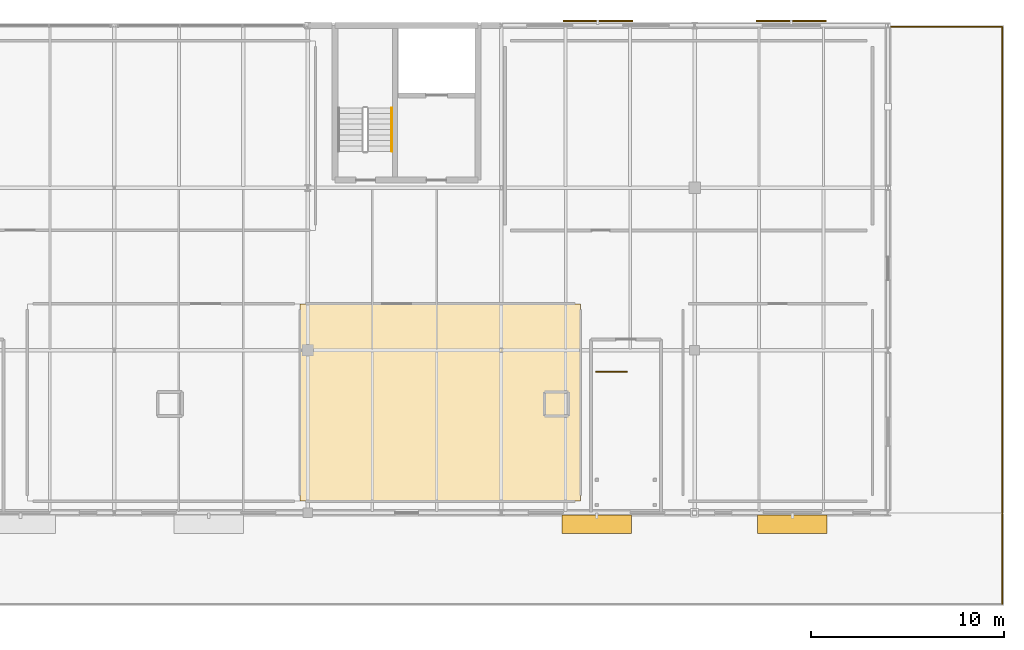
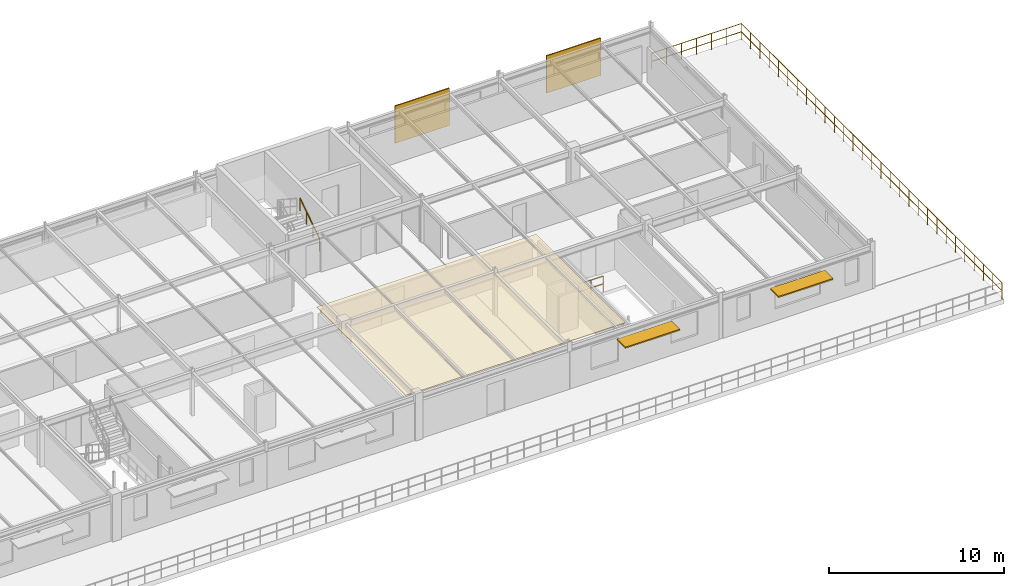
# One storey, part 23 of 23: 4 railings, 4 shading devices, 1 covering.
"""IFC4 building model written with IfcOpenShell, lengths in metres."""

import ifcopenshell
import ifcopenshell.guid

model = None  # the IFC model being written
_history = None  # IfcOwnerHistory: only IFC2X3 demands one
_inside = {}  # id of a spatial element -> (the spatial element, [elements in it])
_under = {}  # id of a project, library or spatial element -> (it, [spatial elements below it])
_declared = {}  # id of a project -> (the project, [libraries it declares])
_typed = {}  # id of a type object -> (the type object, [elements of that type])
_made_of = {}  # id of a material, layer set ... -> (it, [elements and type objects made of it])


def new_model(schema):
    """Start an empty IFC model of exactly this schema.

    Asked for "IFC4X3", IfcOpenShell would pick the latest addendum, in which some entities
    have other attributes; the version numbers below select the first issue.
    IFC2X3 requires an IfcOwnerHistory on every rooted entity: one is made here for all.
    """
    global model, _history
    if schema == "IFC4X3":
        model = ifcopenshell.file(schema_version=(4, 3, 0, 0))
    else:
        model = ifcopenshell.file(schema=schema)
    _inside.clear()
    _under.clear()
    _declared.clear()
    _typed.clear()
    _made_of.clear()
    _history = None
    if model.schema == "IFC2X3":
        org = make("IfcOrganization", Name="unknown")
        user = make(
            "IfcPersonAndOrganization",
            ThePerson=make("IfcPerson", FamilyName="unknown"),
            TheOrganization=org,
        )
        app = make(
            "IfcApplication",
            ApplicationDeveloper=org,
            Version="unknown",
            ApplicationFullName="unknown",
            ApplicationIdentifier="unknown",
        )
        _history = make(
            "IfcOwnerHistory",
            OwningUser=user,
            OwningApplication=app,
            ChangeAction="ADDED",
            CreationDate=0,
        )
    return model


def make(cls, **values):
    """One entity of the class cls with the attributes given. An attribute that is None is left unset."""
    return model.create_entity(
        cls, **{name: value for name, value in values.items() if value is not None}
    )


def rooted(cls, **values):
    """An entity with a GlobalId (a new one), such as an element, a storey or a relation."""
    return make(cls, GlobalId=ifcopenshell.guid.new(), OwnerHistory=_history, **values)


def si_unit(unit_type, name, prefix=None):
    """IfcSIUnit, for example si_unit("LENGTHUNIT", "METRE", prefix="MILLI")."""
    return make("IfcSIUnit", UnitType=unit_type, Prefix=prefix, Name=name)


def derived_unit(unit_type, elements):
    """IfcDerivedUnit: a product of units, each with its exponent."""
    return make(
        "IfcDerivedUnit",
        Elements=[
            make("IfcDerivedUnitElement", Unit=unit, Exponent=power)
            for unit, power in elements
        ],
        UnitType=unit_type,
    )


def assignment(units):
    """IfcUnitAssignment: the units of a project."""
    return None if units is None else make("IfcUnitAssignment", Units=units)


def point(xyz):
    """IfcCartesianPoint."""
    return None if xyz is None else make("IfcCartesianPoint", Coordinates=xyz)


def direction(xyz):
    """IfcDirection."""
    return None if xyz is None else make("IfcDirection", DirectionRatios=xyz)


def frame(location, z_axis=None, x_axis=None):
    """IfcAxis2Placement3D, a coordinate frame: its origin and axes. An axis left out is left unset."""
    return make(
        "IfcAxis2Placement3D",
        Location=point(location),
        Axis=direction(z_axis),
        RefDirection=direction(x_axis),
    )


def frame_2d(location, x_axis=None):
    """IfcAxis2Placement2D, a coordinate frame in the plane: its origin and x axis."""
    return make(
        "IfcAxis2Placement2D", Location=point(location), RefDirection=direction(x_axis)
    )


def origin():
    """The frame at (0, 0, 0) with its axes left unset."""
    return frame((0.0, 0.0, 0.0))


def origin_2d_with_axis():
    """The frame at (0, 0) in the plane with the x axis (1, 0) written out."""
    return frame_2d((0.0, 0.0), x_axis=(1.0, 0.0))


def place(relative_to, where):
    """IfcLocalPlacement: puts the frame where relative to a parent placement (None: the world)."""
    return make(
        "IfcLocalPlacement", PlacementRelTo=relative_to, RelativePlacement=where
    )


def context(
    kind, dimensions, precision=None, world=None, true_north=None, identifier=None
):
    """IfcGeometricRepresentationContext, for example the 3D "Model" context."""
    return make(
        "IfcGeometricRepresentationContext",
        ContextIdentifier=identifier,
        ContextType=kind,
        CoordinateSpaceDimension=dimensions,
        Precision=precision,
        WorldCoordinateSystem=world,
        TrueNorth=true_north,
    )


def subcontext(parent, identifier, kind, view, scale=None):
    """IfcGeometricRepresentationSubContext, for example "Body" below "Model"."""
    return make(
        "IfcGeometricRepresentationSubContext",
        ContextIdentifier=identifier,
        ContextType=kind,
        ParentContext=parent,
        TargetScale=scale,
        TargetView=view,
    )


def project(units=None, contexts=None):
    """IfcProject with its units and contexts."""
    return rooted(
        "IfcProject",
        Name="project",
        RepresentationContexts=contexts,
        UnitsInContext=assignment(units),
    )


def spatial(cls, under=None, at=None, **own):
    """A site, building, storey or space (cls), placed at a placement, below another one or the project."""
    s = rooted(cls, ObjectPlacement=at, **own)
    if under is not None:
        _under.setdefault(under.id(), (under, []))[1].append(s)
    return s


def polyline(points):
    """IfcPolyline through the points."""
    return make("IfcPolyline", Points=[point(p) for p in points])


def profile(cls, at=None, kind="AREA", **sizes):
    """A parametric profile (cls). Its sizes go by their IFC names, for example OverallWidth=200.0."""
    return make(cls, ProfileType=kind, Position=at, **sizes)


def rectangle(**sizes):
    """IfcRectangleProfileDef."""
    return profile("IfcRectangleProfileDef", **sizes)


def circle(**sizes):
    """IfcCircleProfileDef."""
    return profile("IfcCircleProfileDef", **sizes)


def outline(outer, holes=None, kind="AREA"):
    """IfcArbitraryClosedProfileDef: a profile drawn as a closed curve; with holes, ...WithVoids."""
    if holes is None:
        return make("IfcArbitraryClosedProfileDef", ProfileType=kind, OuterCurve=outer)
    return make(
        "IfcArbitraryProfileDefWithVoids",
        ProfileType=kind,
        OuterCurve=outer,
        InnerCurves=holes,
    )


def extrude(swept, where, along, depth):
    """IfcExtrudedAreaSolid: the profile swept, set in the frame where, extruded along a direction by depth."""
    return make(
        "IfcExtrudedAreaSolid",
        SweptArea=swept,
        Position=where,
        ExtrudedDirection=direction(along),
        Depth=depth,
    )


def shape(context_of_items, identifier, shape_type, items):
    """IfcShapeRepresentation: the items that make up one representation, for example the "Body"."""
    return make(
        "IfcShapeRepresentation",
        ContextOfItems=context_of_items,
        RepresentationIdentifier=identifier,
        RepresentationType=shape_type,
        Items=items,
    )


def material(Name=None, Category=None):
    """IfcMaterial."""
    return make("IfcMaterial", Name=Name, Category=Category)


def layer(
    of_material, thickness, ventilated=None, Name=None, Category=None, Priority=None
):
    """IfcMaterialLayer: one layer of a wall or slab, of a material (None: an air gap)."""
    return make(
        "IfcMaterialLayer",
        Material=of_material,
        LayerThickness=thickness,
        IsVentilated=ventilated,
        Name=Name,
        Category=Category,
        Priority=Priority,
    )


def layer_set(layers, Name=None):
    """IfcMaterialLayerSet."""
    return make("IfcMaterialLayerSet", MaterialLayers=layers, LayerSetName=Name)


def made_of(thing, what):
    """Note that an element or type object is made of a material, layer set ...; save() writes the relation."""
    if what is not None:
        _made_of.setdefault(what.id(), (what, []))[1].append(thing)
    return thing


def type_object(cls, material=None, **own):
    """A type object (cls), such as IfcWallType, which elements share."""
    return made_of(rooted(cls, **own), material)


def element(
    cls,
    number,
    at=None,
    inside=None,
    cuts=None,
    type_object=None,
    material=None,
    context=None,
    identifier="Body",
    shape_type=None,
    held_by="IfcProductDefinitionShape",
    body=None,
    shapes=None,
    **own,
):
    """One element of the class cls, such as IfcWall. Its Tag is "e" and its number.

    at: its placement. inside: the storey or other place that contains it. cuts: it is an
    opening in that element (IfcRelVoidsElement). A single representation is given by context,
    identifier, shape_type and body (its items); several are given by shapes. held_by: the class
    of the entity that holds the representations. save() writes the other relations.
    """
    e = rooted(cls, Tag="e%d" % number, ObjectPlacement=at, **own)
    if body is not None:
        shapes = [shape(context, identifier, shape_type, body)]
    if shapes is not None:
        e.Representation = make(held_by, Representations=shapes)
    if inside is not None:
        _inside.setdefault(inside.id(), (inside, []))[1].append(e)
    if cuts is not None:
        rooted(
            "IfcRelVoidsElement", RelatingBuildingElement=cuts, RelatedOpeningElement=e
        )
    if type_object is not None:
        _typed.setdefault(type_object.id(), (type_object, []))[1].append(e)
    return made_of(e, material)


def aggregate(whole, parts):
    """IfcRelAggregates: a whole, such as a stair, and the parts it consists of."""
    return rooted("IfcRelAggregates", RelatingObject=whole, RelatedObjects=parts)


def save(model, path):
    """Write the relations noted so far, then the file.

    IfcRelAggregates (storeys below a building ...), IfcRelContainedInSpatialStructure (elements
    in a storey), IfcRelDefinesByType, IfcRelAssociatesMaterial and IfcRelDeclares: one each for
    every whole, place, type object, material and project.
    """
    for whole, parts in _under.values():
        aggregate(whole, parts)
    for where, things in _inside.values():
        rooted(
            "IfcRelContainedInSpatialStructure",
            RelatedElements=things,
            RelatingStructure=where,
        )
    for kind, things in _typed.values():
        rooted("IfcRelDefinesByType", RelatedObjects=things, RelatingType=kind)
    for what, things in _made_of.values():
        rooted("IfcRelAssociatesMaterial", RelatedObjects=things, RelatingMaterial=what)
    for by, libraries in _declared.values():
        rooted("IfcRelDeclares", RelatingContext=by, RelatedDefinitions=libraries)
    model.write(path)


model = new_model("IFC4")

# Units and contexts
model_context = context("Model", 3, precision=1e-05, world=origin(), true_north=direction((0.0, 1.0)))
body_context = subcontext(model_context, "Body", "Model", "MODEL_VIEW")
ifc_project = project(units=[si_unit("LENGTHUNIT", "METRE"), si_unit("AREAUNIT", "SQUARE_METRE"), si_unit("VOLUMEUNIT", "CUBIC_METRE"), si_unit("PLANEANGLEUNIT", "RADIAN"), si_unit("MASSUNIT", "GRAM", prefix="KILO"), derived_unit("THERMALTRANSMITTANCEUNIT", [(si_unit("POWERUNIT", "WATT"), 1), (si_unit("LENGTHUNIT", "METRE"), -2), (si_unit("THERMODYNAMICTEMPERATUREUNIT", "KELVIN"), -1)])], contexts=[model_context])

# Site, building, storey
site_placement = place(None, origin())
site = spatial("IfcSite", under=ifc_project, at=site_placement, CompositionType="ELEMENT")
building_placement = place(site_placement, origin())
building = spatial("IfcBuilding", under=site, at=building_placement, Name="Cinnabar Yard Market Hall", CompositionType="ELEMENT")
storey_placement = place(building_placement, frame((0.0, 0.0, 12.0)))
storey = spatial("IfcBuildingStorey", under=building, at=storey_placement, Name="L03", CompositionType="ELEMENT", Elevation=12.0)

# Covering
ifc_material_1 = material(Name="Perforated acoustic spotted-gum timber slats", Category="wood")
ifc_layer_1 = layer(ifc_material_1, 0.0400390625)
ifc_layer_set_1 = layer_set([ifc_layer_1], Name="Perforated acoustic spotted-gum timber slats")
covering_type = type_object("IfcCoveringType", Name="COV-CLG1", PredefinedType="CEILING", material=ifc_layer_set_1)
covering_placement = place(storey_placement, frame((0.0, 0.0, 2.7099609375)))
element("IfcCovering", 1, at=covering_placement, inside=storey, type_object=covering_type, Name="Ceiling Culinary Heritage Classroom 304", PredefinedType="CEILING", context=body_context, shape_type="SweptSolid", body=[
    extrude(outline(polyline([(125.60009765625, 113.39990234375), (140.10009765625, 113.39990234375), (140.10009765625, 123.60009765625), (125.60009765625, 123.60009765625), (125.60009765625, 113.39990234375)])), origin(), (0.0, 0.0, 1.0), 0.03515625),
])

# Railings
ifc_material_2 = material(Name="Laminated glass and bronze handrail", Category="glass")
ifc_layer_2 = layer(ifc_material_2, 0.070068359375)
ifc_layer_set_2 = layer_set([ifc_layer_2], Name="Laminated glass and bronze handrail")
railing_type_1 = type_object("IfcRailingType", Name="RL-G01", PredefinedType="BALUSTRADE", material=ifc_layer_set_2)
railing_1_placement = place(storey_placement, frame((140.89990234375, 120.10009765625, 0.0)))
element("IfcRailing", 2, at=railing_1_placement, inside=storey, type_object=railing_type_1, Name="L03 ST-F6 top well guard 1", PredefinedType="BALUSTRADE", context=body_context, shape_type="SweptSolid", body=[
    extrude(circle(Radius=0.02392578125, at=origin_2d_with_axis()), frame((0.0, 0.0, 1.09619140625), z_axis=(1.0, 0.0, 0.0), x_axis=(0.0, 1.0, 0.0)), (0.0, 0.0, 1.0), 1.610107421875),
    extrude(circle(Radius=0.02392578125, at=origin_2d_with_axis()), frame((0.0, 0.0, 0.550048828125), z_axis=(1.0, 0.0, 0.0), x_axis=(0.0, 1.0, 0.0)), (0.0, 0.0, 1.0), 1.610107421875),
    extrude(circle(Radius=0.02099609375, at=origin_2d_with_axis()), origin(), (0.0, 0.0, 1.0), 1.072021484375),
    extrude(circle(Radius=0.02099609375, at=origin_2d_with_axis()), frame((0.80517578125, 0.0, 0.0)), (0.0, 0.0, 1.0), 1.072021484375),
    extrude(circle(Radius=0.02099609375, at=origin_2d_with_axis()), frame((1.610107421875, 0.0, 0.0)), (0.0, 0.0, 1.0), 1.072021484375),
])
ifc_material_3 = material(Name="Perforated bronze steel balustrade", Category="steel")
ifc_layer_3 = layer(ifc_material_3, 0.080078125)
ifc_layer_set_3 = layer_set([ifc_layer_3], Name="Perforated bronze steel balustrade")
railing_type_2 = type_object("IfcRailingType", Name="RL-G02", PredefinedType="BALUSTRADE", material=ifc_layer_set_3)
railing_2_placement = place(storey_placement, frame((161.919921875, 108.080078125, 0.0)))
element("IfcRailing", 3, at=railing_2_placement, inside=storey, type_object=railing_type_2, Name="L03 Stepped Roof Garden Balustrade 4", PredefinedType="BALUSTRADE", context=body_context, shape_type="SweptSolid", body=[
    extrude(circle(Radius=0.02392578125, at=origin_2d_with_axis()), frame((0.0, 0.0, 1.1259765625), z_axis=(0.0, 1.0, 0.0), x_axis=(-1.0, 0.0, 0.0)), (0.0, 0.0, 1.0), 29.83984375),
    extrude(circle(Radius=0.02392578125, at=origin_2d_with_axis()), frame((0.0, 0.0, 0.550048828125), z_axis=(0.0, 1.0, 0.0), x_axis=(-1.0, 0.0, 0.0)), (0.0, 0.0, 1.0), 29.83984375),
    extrude(circle(Radius=0.02099609375, at=origin_2d_with_axis()), origin(), (0.0, 0.0, 1.0), 1.101806640625),
    extrude(circle(Radius=0.02099609375, at=origin_2d_with_axis()), frame((0.0, 1.065673828125, 0.0)), (0.0, 0.0, 1.0), 1.101806640625),
    extrude(circle(Radius=0.02099609375, at=origin_2d_with_axis()), frame((0.0, 2.13134765625, 0.0)), (0.0, 0.0, 1.0), 1.101806640625),
    extrude(circle(Radius=0.02099609375, at=origin_2d_with_axis()), frame((0.0, 3.197021484375, 0.0)), (0.0, 0.0, 1.0), 1.101806640625),
    extrude(circle(Radius=0.02099609375, at=origin_2d_with_axis()), frame((0.0, 4.262939453125, 0.0)), (0.0, 0.0, 1.0), 1.101806640625),
    extrude(circle(Radius=0.02099609375, at=origin_2d_with_axis()), frame((0.0, 5.32861328125, 0.0)), (0.0, 0.0, 1.0), 1.101806640625),
    extrude(circle(Radius=0.02099609375, at=origin_2d_with_axis()), frame((0.0, 6.394287109375, 0.0)), (0.0, 0.0, 1.0), 1.101806640625),
    extrude(circle(Radius=0.02099609375, at=origin_2d_with_axis()), frame((0.0, 7.4599609375, 0.0)), (0.0, 0.0, 1.0), 1.101806640625),
    extrude(circle(Radius=0.02099609375, at=origin_2d_with_axis()), frame((0.0, 8.525634765625, 0.0)), (0.0, 0.0, 1.0), 1.101806640625),
    extrude(circle(Radius=0.02099609375, at=origin_2d_with_axis()), frame((0.0, 9.59130859375, 0.0)), (0.0, 0.0, 1.0), 1.101806640625),
    extrude(circle(Radius=0.02099609375, at=origin_2d_with_axis()), frame((0.0, 10.656982421875, 0.0)), (0.0, 0.0, 1.0), 1.101806640625),
    extrude(circle(Radius=0.02099609375, at=origin_2d_with_axis()), frame((0.0, 11.722900390625, 0.0)), (0.0, 0.0, 1.0), 1.101806640625),
    extrude(circle(Radius=0.02099609375, at=origin_2d_with_axis()), frame((0.0, 12.78857421875, 0.0)), (0.0, 0.0, 1.0), 1.101806640625),
    extrude(circle(Radius=0.02099609375, at=origin_2d_with_axis()), frame((0.0, 13.854248046875, 0.0)), (0.0, 0.0, 1.0), 1.101806640625),
    extrude(circle(Radius=0.02099609375, at=origin_2d_with_axis()), frame((0.0, 14.919921875, 0.0)), (0.0, 0.0, 1.0), 1.101806640625),
    extrude(circle(Radius=0.02099609375, at=origin_2d_with_axis()), frame((0.0, 15.985595703125, 0.0)), (0.0, 0.0, 1.0), 1.101806640625),
    extrude(circle(Radius=0.02099609375, at=origin_2d_with_axis()), frame((0.0, 17.05126953125, 0.0)), (0.0, 0.0, 1.0), 1.101806640625),
    extrude(circle(Radius=0.02099609375, at=origin_2d_with_axis()), frame((0.0, 18.116943359375, 0.0)), (0.0, 0.0, 1.0), 1.101806640625),
    extrude(circle(Radius=0.02099609375, at=origin_2d_with_axis()), frame((0.0, 19.182861328125, 0.0)), (0.0, 0.0, 1.0), 1.101806640625),
    extrude(circle(Radius=0.02099609375, at=origin_2d_with_axis()), frame((0.0, 20.24853515625, 0.0)), (0.0, 0.0, 1.0), 1.101806640625),
    extrude(circle(Radius=0.02099609375, at=origin_2d_with_axis()), frame((0.0, 21.314208984375, 0.0)), (0.0, 0.0, 1.0), 1.101806640625),
    extrude(circle(Radius=0.02099609375, at=origin_2d_with_axis()), frame((0.0, 22.3798828125, 0.0)), (0.0, 0.0, 1.0), 1.101806640625),
    extrude(circle(Radius=0.02099609375, at=origin_2d_with_axis()), frame((0.0, 23.445556640625, 0.0)), (0.0, 0.0, 1.0), 1.101806640625),
    extrude(circle(Radius=0.02099609375, at=origin_2d_with_axis()), frame((0.0, 24.51123046875, 0.0)), (0.0, 0.0, 1.0), 1.101806640625),
    extrude(circle(Radius=0.02099609375, at=origin_2d_with_axis()), frame((0.0, 25.576904296875, 0.0)), (0.0, 0.0, 1.0), 1.101806640625),
    extrude(circle(Radius=0.02099609375, at=origin_2d_with_axis()), frame((0.0, 26.642822265625, 0.0)), (0.0, 0.0, 1.0), 1.101806640625),
    extrude(circle(Radius=0.02099609375, at=origin_2d_with_axis()), frame((0.0, 27.70849609375, 0.0)), (0.0, 0.0, 1.0), 1.101806640625),
    extrude(circle(Radius=0.02099609375, at=origin_2d_with_axis()), frame((0.0, 28.774169921875, 0.0)), (0.0, 0.0, 1.0), 1.101806640625),
    extrude(circle(Radius=0.02099609375, at=origin_2d_with_axis()), frame((0.0, 29.83984375, 0.0)), (0.0, 0.0, 1.0), 1.101806640625),
])
railing_3_placement = place(storey_placement, frame((161.919921875, 137.919921875, 0.0)))
element("IfcRailing", 4, at=railing_3_placement, inside=storey, type_object=railing_type_2, Name="L03 Stepped Roof Garden Balustrade 5", PredefinedType="BALUSTRADE", context=body_context, shape_type="SweptSolid", body=[
    extrude(circle(Radius=0.02392578125, at=origin_2d_with_axis()), frame((0.0, 0.0, 1.1259765625), z_axis=(-1.0, 0.0, 0.0), x_axis=(0.0, -1.0, 0.0)), (0.0, 0.0, 1.0), 5.919921875),
    extrude(circle(Radius=0.02392578125, at=origin_2d_with_axis()), frame((0.0, 0.0, 0.550048828125), z_axis=(-1.0, 0.0, 0.0), x_axis=(0.0, -1.0, 0.0)), (0.0, 0.0, 1.0), 5.919921875),
    extrude(circle(Radius=0.02099609375, at=origin_2d_with_axis()), origin(), (0.0, 0.0, 1.0), 1.101806640625),
    extrude(circle(Radius=0.02099609375, at=origin_2d_with_axis()), frame((-0.986572265625, 0.0, 0.0)), (0.0, 0.0, 1.0), 1.101806640625),
    extrude(circle(Radius=0.02099609375, at=origin_2d_with_axis()), frame((-1.973388671875, 0.0, 0.0)), (0.0, 0.0, 1.0), 1.101806640625),
    extrude(circle(Radius=0.02099609375, at=origin_2d_with_axis()), frame((-2.9599609375, 0.0, 0.0)), (0.0, 0.0, 1.0), 1.101806640625),
    extrude(circle(Radius=0.02099609375, at=origin_2d_with_axis()), frame((-3.946533203125, 0.0, 0.0)), (0.0, 0.0, 1.0), 1.101806640625),
    extrude(circle(Radius=0.02099609375, at=origin_2d_with_axis()), frame((-4.933349609375, 0.0, 0.0)), (0.0, 0.0, 1.0), 1.101806640625),
    extrude(circle(Radius=0.02099609375, at=origin_2d_with_axis()), frame((-5.919921875, 0.0, 0.0)), (0.0, 0.0, 1.0), 1.101806640625),
])
ifc_material_4 = material(Name="Brushed stainless steel handrail", Category="steel")
ifc_layer_4 = layer(ifc_material_4, 0.050048828125)
ifc_layer_set_4 = layer_set([ifc_layer_4], Name="Brushed stainless steel handrail")
railing_type_3 = type_object("IfcRailingType", Name="RL-HR1", PredefinedType="HANDRAIL", material=ifc_layer_set_4)
railing_4_placement = place(storey_placement, frame((130.35009765625, 131.489990234375, 0.183349609375)))
element("IfcRailing", 5, at=railing_4_placement, inside=storey, type_object=railing_type_3, Name="L03 ST-C6 stair handrail 1", PredefinedType="HANDRAIL", context=body_context, shape_type="SweptSolid", body=[
    extrude(circle(Radius=0.02392578125, at=origin_2d_with_axis()), frame((0.0, 0.0, 0.8759765625), z_axis=(0.0, 0.836636935527, 0.547757827979), x_axis=(-1.0, 0.0, 0.0)), (0.0, 0.0, 1.0), 2.677490234375),
    extrude(circle(Radius=0.02099609375, at=origin_2d_with_axis()), origin(), (0.0, 0.0, 1.0), 0.851806640625),
    extrude(circle(Radius=0.02099609375, at=origin_2d_with_axis()), frame((0.0, 0.74658203125, 0.48876953125)), (0.0, 0.0, 1.0), 0.851806640625),
    extrude(circle(Radius=0.02099609375, at=origin_2d_with_axis()), frame((0.0, 1.493408203125, 0.977783203125)), (0.0, 0.0, 1.0), 0.851806640625),
    extrude(circle(Radius=0.02099609375, at=origin_2d_with_axis()), frame((0.0, 2.239990234375, 1.466552734375)), (0.0, 0.0, 1.0), 0.851806640625),
])

# Shading devices
ifc_material_5 = material(Name="Projecting sandstone-clad steel chhajja hood", Category="masonry")
shading_device_type_1 = type_object("IfcShadingDeviceType", Name="SHD-CHJ1", PredefinedType="SHUTTER", material=ifc_material_5)
for number, where, z_axis, x_axis, name in (
    (6, (140.939697265625, 112.199951171875, 2.294921875), (0.0, 0.0, 1.0), (1.0, 0.0, 0.0), "Wing South Chhajja Hood L03 Bay 7"),
    (7, (151.060302734375, 112.199951171875, 2.294921875), (0.0, 0.0, 1.0), (1.0, 0.0, 0.0), "Wing South Chhajja Hood L03 Bay 8"),
):
    element("IfcShadingDevice", number, at=place(storey_placement, frame(where, z_axis=z_axis, x_axis=x_axis)), inside=storey, type_object=shading_device_type_1, Name=name, PredefinedType="SHUTTER", context=body_context, shape_type="SweptSolid", body=[
        extrude(rectangle(XDim=3.60009765625, YDim=0.949951171875, at=origin_2d_with_axis()), origin(), (0.0, 0.0, 1.0), 0.090087890625),
    ])
ifc_material_6 = material(Name="Perforated weathering bronze aluminium jali screen", Category="aluminium")
shading_device_type_2 = type_object("IfcShadingDeviceType", Name="SHD-JALI1", PredefinedType="JALOUSIE", material=ifc_material_6)
for number, where, z_axis, x_axis, name in (
    (8, (140.9990234375, 138.219970703125, 0.550048828125), (0.0, 0.0, 1.0), (1.0, 0.0, 0.0), "Wing North Jali Screen L03 Bay 7"),
    (9, (151.0009765625, 138.219970703125, 0.550048828125), (0.0, 0.0, 1.0), (1.0, 0.0, 0.0), "Wing North Jali Screen L03 Bay 8"),
):
    element("IfcShadingDevice", number, at=place(storey_placement, frame(where, z_axis=z_axis, x_axis=x_axis)), inside=storey, type_object=shading_device_type_2, Name=name, PredefinedType="JALOUSIE", context=body_context, shape_type="SweptSolid", body=[
        extrude(rectangle(XDim=3.60009765625, YDim=0.080078125, at=origin_2d_with_axis()), origin(), (0.0, 0.0, 1.0), 2.60009765625),
    ])

save(model, "model.ifc")
